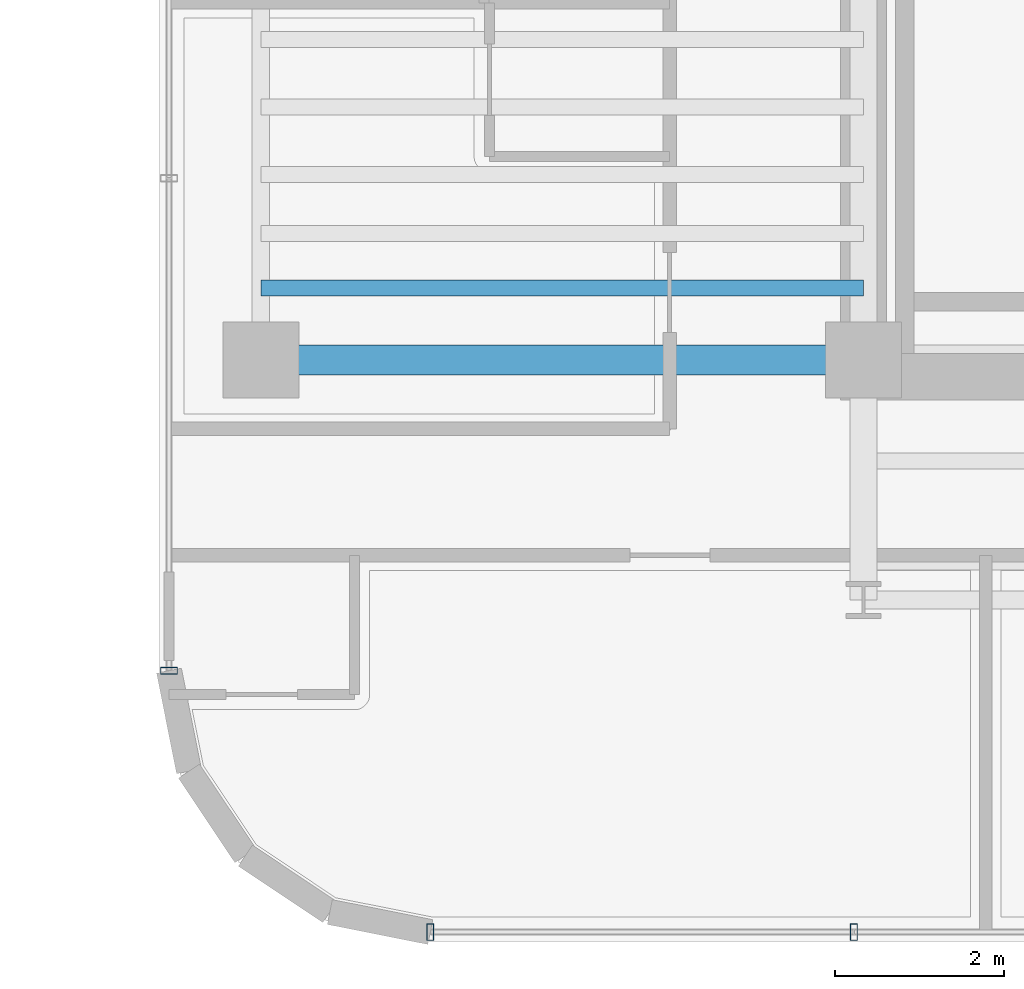
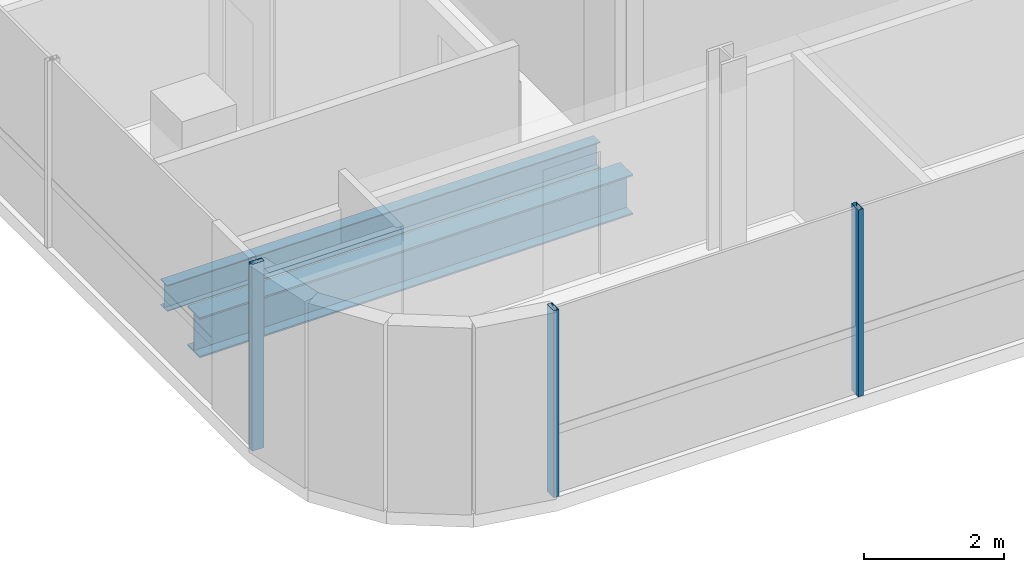
# One storey, part 2 of 22: 3 members, 2 beams, 2 elements without a shape of their own.
"""IFC4 building model written with IfcOpenShell, lengths in metres."""

from ifc_helpers import new_model, si_unit, direction, frame, origin, origin_2d, place, context, subcontext, project, spatial, hollow_rectangle, i_section, extrude, source, transform, mapped, material, material_profile, profile_set, type_object, element, aggregate, save


model = new_model("IFC4")

# Units and contexts
model_context = context("Model", 3, precision=1e-05, world=origin(), true_north=direction((0.0, 1.0)))
body_context = subcontext(model_context, "Body", "Model", "MODEL_VIEW")
ifc_project = project(units=[si_unit("LENGTHUNIT", "METRE"), si_unit("AREAUNIT", "SQUARE_METRE"), si_unit("VOLUMEUNIT", "CUBIC_METRE"), si_unit("PLANEANGLEUNIT", "RADIAN"), si_unit("MASSUNIT", "GRAM", prefix="KILO")], contexts=[model_context])

# Site, building, storey
site_placement = place(None, origin())
site = spatial("IfcSite", under=ifc_project, at=site_placement, CompositionType="ELEMENT")
building_placement = place(site_placement, origin())
building = spatial("IfcBuilding", under=site, at=building_placement, Name="Valdorenza Pilgrim Sanctuary Tower", CompositionType="ELEMENT")
storey_placement = place(building_placement, frame((0.0, 0.0, 216.0)))
storey = spatial("IfcBuildingStorey", under=building, at=storey_placement, Name="L55", CompositionType="ELEMENT", Elevation=216.0)

# Beams
ifc_material_1 = material(Name="Steel ASTM A992 Grade 50", Category="steel")
ifc_material_profile_1 = material_profile(ifc_material_1, i_section(OverallWidth=0.19091796875, OverallDepth=0.45703125, WebThickness=0.009033203125, FlangeThickness=0.014404296875, at=origin_2d()), Name="W18X50")
ifc_profile_set_1 = profile_set([ifc_material_profile_1], Name="Steel ASTM A992 Grade 50")
beam_type_1 = type_object("IfcBeamType", Name="STR-BM-JST-W18B", PredefinedType="JOIST", material=ifc_profile_set_1)
shared_shape_1 = source(origin(), body_context, "Body", "SweptSolid", [
    extrude(i_section(OverallWidth=0.19091796875, OverallDepth=0.45703125, WebThickness=0.009033203125, FlangeThickness=0.014404296875, at=origin_2d()), origin(), (0.0, 0.0, 1.0), 7.150146484375),
])
beam_1_placement = place(storey_placement, frame((-29.800048828125, -9.75, -0.468505859375), z_axis=(1.0, 0.0, 0.0), x_axis=(0.0, 1.0, 0.0)))
element("IfcBeam", 1, at=beam_1_placement, inside=storey, type_object=beam_type_1, Name="L55 Composite Floor Joist JST-WA-1", PredefinedType="JOIST", context=body_context, shape_type="MappedRepresentation", body=[
    mapped(shared_shape_1, transform((0.0, 0.0, 0.0), x_axis=(1.0, 0.0, 0.0), y_axis=(0.0, 1.0, 0.0), z_axis=(0.0, 0.0, 1.0), scale=1.0)),
])
ifc_material_profile_2 = material_profile(ifc_material_1, i_section(OverallWidth=0.35595703125, OverallDepth=0.700927734375, WebThickness=0.016845703125, FlangeThickness=0.02734375, at=origin_2d()), Name="W27X161")
ifc_profile_set_2 = profile_set([ifc_material_profile_2], Name="Steel ASTM A992 Grade 50")
beam_type_2 = type_object("IfcBeamType", Name="STR-BM-GRD-W27", PredefinedType="BEAM", material=ifc_profile_set_2)
shared_shape_2 = source(origin(), body_context, "Body", "SweptSolid", [
    extrude(i_section(OverallWidth=0.35595703125, OverallDepth=0.700927734375, WebThickness=0.016845703125, FlangeThickness=0.02734375, at=origin_2d()), origin(), (0.0, 0.0, 1.0), 7.150146484375),
])
beam_2_placement = place(storey_placement, frame((-29.800048828125, -10.60009765625, -0.590576171875), z_axis=(1.0, 0.0, 0.0), x_axis=(0.0, 1.0, 0.0)))
element("IfcBeam", 2, at=beam_2_placement, inside=storey, type_object=beam_type_2, Name="L55 Floor Girder WA-XW-S1", PredefinedType="BEAM", context=body_context, shape_type="MappedRepresentation", body=[
    mapped(shared_shape_2, transform((0.0, 0.0, 0.0), x_axis=(1.0, 0.0, 0.0), y_axis=(0.0, 1.0, 0.0), z_axis=(0.0, 0.0, 1.0), scale=1.0)),
])

# Curtain wall, member
ifc_material_2 = material(Name="Curtain-wall IGU glazing", Category="glass")
curtain_wall_type = type_object("IfcCurtainWallType", Name="CW-SYS-02", PredefinedType="NOTDEFINED", material=ifc_material_2)
curtain_wall_1_placement = place(storey_placement, origin())
curtain_wall_1 = element("IfcCurtainWall", 3, at=curtain_wall_1_placement, inside=storey, type_object=curtain_wall_type, Name="L55 Curtain Wall CW-L55-1-1S1", PredefinedType="NOTDEFINED")
ifc_material_3 = material(Name="Anodised aluminium AW-6060", Category="aluminium")
ifc_material_profile_3 = material_profile(ifc_material_3, hollow_rectangle(XDim=0.0849609375, YDim=0.199951171875, WallThickness=0.0048828125, at=origin_2d()), Name="ALU-M 200x85x5")
ifc_profile_set_3 = profile_set([ifc_material_profile_3], Name="Anodised aluminium AW-6060")
member_type = type_object("IfcMemberType", Name="CW-MUL-02", PredefinedType="MULLION", material=ifc_profile_set_3)
shared_shape_3 = source(origin(), body_context, "Body", "SweptSolid", [
    extrude(hollow_rectangle(XDim=0.0849609375, YDim=0.199951171875, WallThickness=0.0048828125, at=origin_2d()), origin(), (0.0, 0.0, 1.0), 3.260009765625),
])
member_1_placement = place(storey_placement, frame((-30.889892578125, -14.289306640625, 0.0), z_axis=(0.0, 0.0, 1.0), x_axis=(0.0, 1.0, 0.0)))
member_1 = element("IfcMember", 4, at=member_1_placement, type_object=member_type, Name="CW-L55-1-1S1 Mullion 1", PredefinedType="MULLION", context=body_context, shape_type="MappedRepresentation", body=[
    mapped(shared_shape_3, transform((0.0, 0.0, 0.0), x_axis=(1.0, 0.0, 0.0), y_axis=(0.0, 1.0, 0.0), z_axis=(0.0, 0.0, 1.0), scale=1.0)),
])
aggregate(curtain_wall_1, [member_1])

# Curtain wall, members
curtain_wall_2_placement = place(storey_placement, origin())
curtain_wall_2 = element("IfcCurtainWall", 5, at=curtain_wall_2_placement, inside=storey, type_object=curtain_wall_type, Name="L55 Curtain Wall CW-L55-1-26", PredefinedType="NOTDEFINED")
member_2_placement = place(storey_placement, frame((-22.76318359375, -17.389892578125, 0.0), z_axis=(0.0, 0.0, 1.0), x_axis=(-1.0, 0.0, 0.0)))
member_2 = element("IfcMember", 6, at=member_2_placement, type_object=member_type, Name="CW-L55-1-26 Mullion 3", PredefinedType="MULLION", context=body_context, shape_type="MappedRepresentation", body=[
    mapped(shared_shape_3, transform((0.0, 0.0, 0.0), x_axis=(1.0, 0.0, 0.0), y_axis=(0.0, 1.0, 0.0), z_axis=(0.0, 0.0, 1.0), scale=1.0)),
])
member_3_placement = place(storey_placement, frame((-27.789306640625, -17.389892578125, 0.0), z_axis=(0.0, 0.0, 1.0), x_axis=(-1.0, 0.0, 0.0)))
member_3 = element("IfcMember", 7, at=member_3_placement, type_object=member_type, Name="CW-L55-1-26 Mullion 4", PredefinedType="MULLION", context=body_context, shape_type="MappedRepresentation", body=[
    mapped(shared_shape_3, transform((0.0, 0.0, 0.0), x_axis=(1.0, 0.0, 0.0), y_axis=(0.0, 1.0, 0.0), z_axis=(0.0, 0.0, 1.0), scale=1.0)),
])
aggregate(curtain_wall_2, [member_2, member_3])

save(model, "model.ifc")
